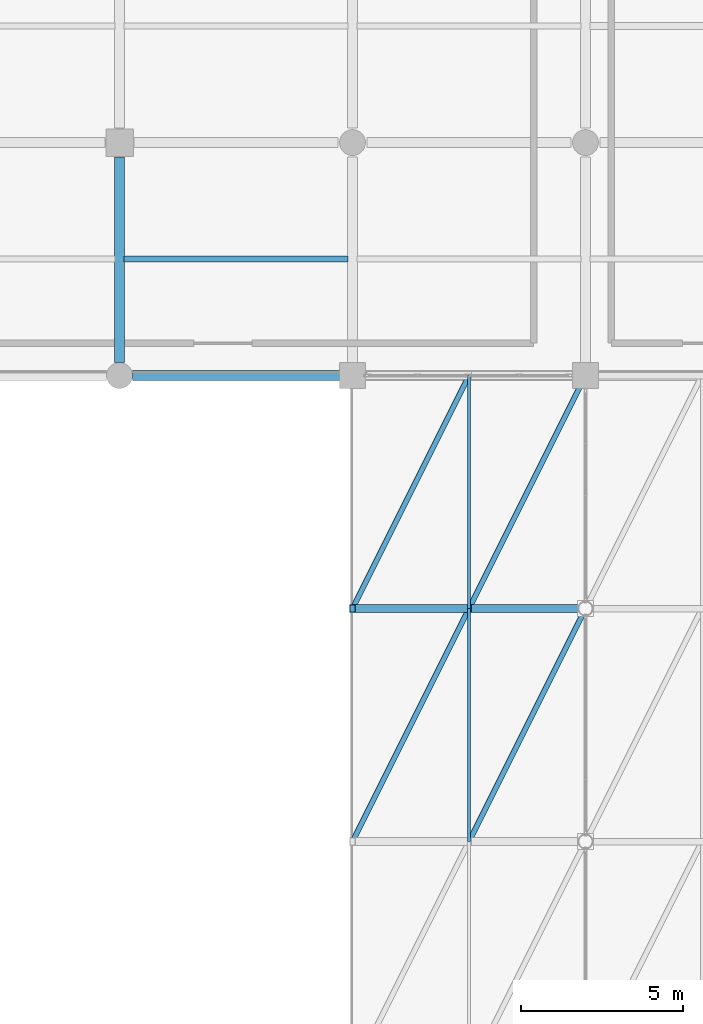
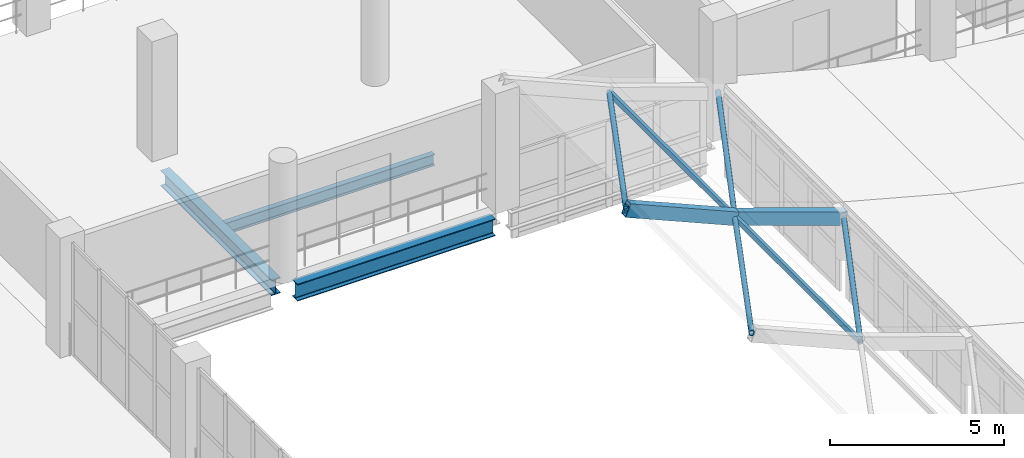
# One storey, part 67 of 153: 6 members, 5 beams.
"""IFC4 building model written with IfcOpenShell, lengths in metres."""

from ifc_helpers import new_model, si_unit, direction, frame, origin, origin_2d, place, context, subcontext, project, spatial, hollow_rectangle, hollow_circle, i_section, extrude, material, material_profile, profile_set, type_object, element, save


model = new_model("IFC4")

# Units and contexts
model_context = context("Model", 3, precision=1e-05, world=origin(), true_north=direction((0.0, 1.0)))
body_context = subcontext(model_context, "Body", "Model", "MODEL_VIEW")
ifc_project = project(units=[si_unit("LENGTHUNIT", "METRE"), si_unit("AREAUNIT", "SQUARE_METRE"), si_unit("VOLUMEUNIT", "CUBIC_METRE"), si_unit("PLANEANGLEUNIT", "RADIAN"), si_unit("MASSUNIT", "GRAM", prefix="KILO")], contexts=[model_context])

# Site, building, storey
site_placement = place(None, origin())
site = spatial("IfcSite", under=ifc_project, at=site_placement, CompositionType="ELEMENT")
building_placement = place(site_placement, origin())
building = spatial("IfcBuilding", under=site, at=building_placement, Name="Qandorah Velis Arena", CompositionType="ELEMENT")
storey_placement = place(building_placement, frame((0.0, 0.0, 5.39990234375)))
storey = spatial("IfcBuildingStorey", under=building, at=storey_placement, Name="L01", CompositionType="ELEMENT", Elevation=5.39990234375)

# Beams
ifc_material = material(Name="Steel S355", Category="steel")
ifc_material_profile_1 = material_profile(ifc_material, i_section(OverallWidth=0.300048828125, OverallDepth=0.550048828125, WebThickness=0.014892578125, FlangeThickness=0.029052734375, FilletRadius=0.027099609375, at=origin_2d()), Name="HEB 550")
ifc_profile_set_1 = profile_set([ifc_material_profile_1], Name="Steel S355")
beam_type_1 = type_object("IfcBeamType", Name="STR-BM-HEB550", PredefinedType="BEAM", material=ifc_profile_set_1)
beam_1_placement = place(storey_placement, frame((129.60009765625, 43.60009765625, -0.635009765625), z_axis=(0.0, 1.0, 0.0), x_axis=(-1.0, 0.0, 0.0)))
element("IfcBeam", 1, at=beam_1_placement, inside=storey, type_object=beam_type_1, Name="Primary floor girder L01 Y-401", PredefinedType="BEAM", context=body_context, shape_type="SweptSolid", body=[
    extrude(i_section(OverallWidth=0.300048828125, OverallDepth=0.550048828125, WebThickness=0.014892578125, FlangeThickness=0.029052734375, FilletRadius=0.027099609375, at=origin_2d()), origin(), (0.0, 0.0, 1.0), 6.349853515625),
])
ifc_material_profile_2 = material_profile(ifc_material, i_section(OverallWidth=0.300048828125, OverallDepth=0.60009765625, WebThickness=0.015380859375, FlangeThickness=0.030029296875, FilletRadius=0.027099609375, at=origin_2d()), Name="HEB 600")
ifc_profile_set_2 = profile_set([ifc_material_profile_2], Name="Steel S355")
beam_type_2 = type_object("IfcBeamType", Name="STR-BM-HEB600", PredefinedType="BEAM", material=ifc_profile_set_2)
beam_2_placement = place(storey_placement, frame((130.0, 43.199951171875, -0.659912109375), z_axis=(1.0, 0.0, 0.0), x_axis=(0.0, 1.0, 0.0)))
element("IfcBeam", 2, at=beam_2_placement, inside=storey, type_object=beam_type_2, Name="Primary floor girder L01 X-082", PredefinedType="BEAM", context=body_context, shape_type="SweptSolid", body=[
    extrude(i_section(OverallWidth=0.300048828125, OverallDepth=0.60009765625, WebThickness=0.015380859375, FlangeThickness=0.030029296875, FilletRadius=0.027099609375, at=origin_2d()), origin(), (0.0, 0.0, 1.0), 6.550048828125),
])
ifc_material_profile_3 = material_profile(ifc_material, hollow_rectangle(XDim=0.25, YDim=0.449951171875, WallThickness=0.01611328125, at=origin_2d()), Name="RHS 450x250x16")
ifc_profile_set_3 = profile_set([ifc_material_profile_3], Name="Steel S355")
beam_type_3 = type_object("IfcBeamType", Name="STR-CRB-RHS450", PredefinedType="USERDEFINED", material=ifc_profile_set_3)
beam_3_placement = place(storey_placement, frame((136.800048828125, 36.0, 4.18603515625), z_axis=(0.918383019151, 0.0, -0.395692595501), x_axis=(0.0, 1.0, 0.0)))
element("IfcBeam", 3, at=beam_3_placement, inside=storey, type_object=beam_type_3, Name="Sweeping canopy rib CRB-4.07", ObjectType="ROOF TRUSS", PredefinedType="USERDEFINED", context=body_context, shape_type="SweptSolid", body=[
    extrude(hollow_rectangle(XDim=0.25, YDim=0.449951171875, WallThickness=0.01611328125, at=origin_2d()), origin(), (0.0, 0.0, 1.0), 3.919677734375),
])
beam_4_placement = place(storey_placement, frame((140.39990234375, 36.0, 2.635009765625), z_axis=(0.944993692242, 0.0, -0.327088553181), x_axis=(0.0, 1.0, 0.0)))
element("IfcBeam", 4, at=beam_4_placement, inside=storey, type_object=beam_type_3, Name="Sweeping canopy rib CRB-4.08", ObjectType="ROOF TRUSS", PredefinedType="USERDEFINED", context=body_context, shape_type="SweptSolid", body=[
    extrude(hollow_rectangle(XDim=0.25, YDim=0.449951171875, WallThickness=0.01611328125, at=origin_2d()), origin(), (0.0, 0.0, 1.0), 3.8095703125),
])
ifc_material_profile_4 = material_profile(ifc_material, i_section(OverallWidth=0.179931640625, OverallDepth=0.39990234375, WebThickness=0.008544921875, FlangeThickness=0.013427734375, FilletRadius=0.02099609375, at=origin_2d()), Name="IPE 400")
ifc_profile_set_4 = profile_set([ifc_material_profile_4], Name="Steel S355")
beam_type_4 = type_object("IfcBeamType", Name="STR-JST-IPE400", PredefinedType="JOIST", material=ifc_profile_set_4)
beam_5_placement = place(storey_placement, frame((129.735107421875, 46.800048828125, -0.559814453125), z_axis=(1.0, 0.0, 0.0), x_axis=(0.0, 1.0, 0.0)))
element("IfcBeam", 5, at=beam_5_placement, inside=storey, type_object=beam_type_4, Name="Secondary floor joist L01-140", PredefinedType="JOIST", context=body_context, shape_type="SweptSolid", body=[
    extrude(i_section(OverallWidth=0.179931640625, OverallDepth=0.39990234375, WebThickness=0.008544921875, FlangeThickness=0.013427734375, FilletRadius=0.02099609375, at=origin_2d()), origin(), (0.0, 0.0, 1.0), 6.929931640625),
])

# Members
ifc_material_profile_5 = material_profile(ifc_material, hollow_rectangle(XDim=0.10009765625, YDim=0.199951171875, WallThickness=0.008056640625, at=origin_2d()), Name="RHS 200x100x8")
ifc_profile_set_5 = profile_set([ifc_material_profile_5], Name="Steel S355")
member_type_1 = type_object("IfcMemberType", Name="STR-PRL-RHS200", PredefinedType="PURLIN", material=ifc_profile_set_5)
for number, where, z_axis, x_axis, name in (
    (6, (140.39990234375, 28.800048828125, 2.635009765625), (0.0, 1.0, 0.0), (-1.0, 0.0, 0.0), "Canopy cross purlin CPR-3.07"),
    (7, (140.39990234375, 36.0, 2.635009765625), (0.0, 1.0, 0.0), (-1.0, 0.0, 0.0), "Canopy cross purlin CPR-4.07"),
):
    element("IfcMember", number, at=place(storey_placement, frame(where, z_axis=z_axis, x_axis=x_axis)), inside=storey, type_object=member_type_1, Name=name, PredefinedType="PURLIN", context=body_context, shape_type="SweptSolid", body=[
        extrude(hollow_rectangle(XDim=0.10009765625, YDim=0.199951171875, WallThickness=0.008056640625, at=origin_2d()), origin(), (0.0, 0.0, 1.0), 7.199951171875),
    ])
ifc_material_profile_6 = material_profile(ifc_material, hollow_circle(Radius=0.084228515625, WallThickness=0.008056640625, at=origin_2d()), Name="CHS 168.3x8")
ifc_profile_set_6 = profile_set([ifc_material_profile_6], Name="Steel S355")
member_type_2 = type_object("IfcMemberType", Name="STR-SFD-CHS168X8", PredefinedType="STRUT", material=ifc_profile_set_6)
member_1_placement = place(storey_placement, frame((136.800048828125, 28.800048828125, 4.18603515625), z_axis=(0.439124349508, 0.878278480253, -0.189200202945), x_axis=(-0.894433256723, 0.447201463849, 0.0)))
element("IfcMember", 8, at=member_1_placement, inside=storey, type_object=member_type_2, Name="Canopy roof plane diagonal CDG-3.07", PredefinedType="STRUT", context=body_context, shape_type="SweptSolid", body=[
    extrude(hollow_circle(Radius=0.084228515625, WallThickness=0.008056640625, at=origin_2d()), origin(), (0.0, 0.0, 1.0), 8.19775390625),
])
member_2_placement = place(storey_placement, frame((140.39990234375, 28.800048828125, 2.635009765625), z_axis=(0.441961887103, 0.88389380256, -0.152975279518), x_axis=(-0.894421125195, 0.447225726904, 0.0)))
element("IfcMember", 9, at=member_2_placement, inside=storey, type_object=member_type_2, Name="Canopy roof plane diagonal CDG-3.08", PredefinedType="STRUT", context=body_context, shape_type="SweptSolid", body=[
    extrude(hollow_circle(Radius=0.084228515625, WallThickness=0.008056640625, at=origin_2d()), origin(), (0.0, 0.0, 1.0), 8.145751953125),
])
member_3_placement = place(storey_placement, frame((136.800048828125, 36.0, 4.18603515625), z_axis=(0.439124349508, 0.878278480253, -0.189200202945), x_axis=(-0.894433256723, 0.447201463849, 0.0)))
element("IfcMember", 10, at=member_3_placement, inside=storey, type_object=member_type_2, Name="Canopy roof plane diagonal CDG-4.07", PredefinedType="STRUT", context=body_context, shape_type="SweptSolid", body=[
    extrude(hollow_circle(Radius=0.084228515625, WallThickness=0.008056640625, at=origin_2d()), origin(), (0.0, 0.0, 1.0), 8.19775390625),
])
member_4_placement = place(storey_placement, frame((140.39990234375, 36.0, 2.635009765625), z_axis=(0.441961887103, 0.88389380256, -0.152975279518), x_axis=(-0.894421125195, 0.447225726904, 0.0)))
element("IfcMember", 11, at=member_4_placement, inside=storey, type_object=member_type_2, Name="Canopy roof plane diagonal CDG-4.08", PredefinedType="STRUT", context=body_context, shape_type="SweptSolid", body=[
    extrude(hollow_circle(Radius=0.084228515625, WallThickness=0.008056640625, at=origin_2d()), origin(), (0.0, 0.0, 1.0), 8.145751953125),
])

save(model, "model.ifc")
